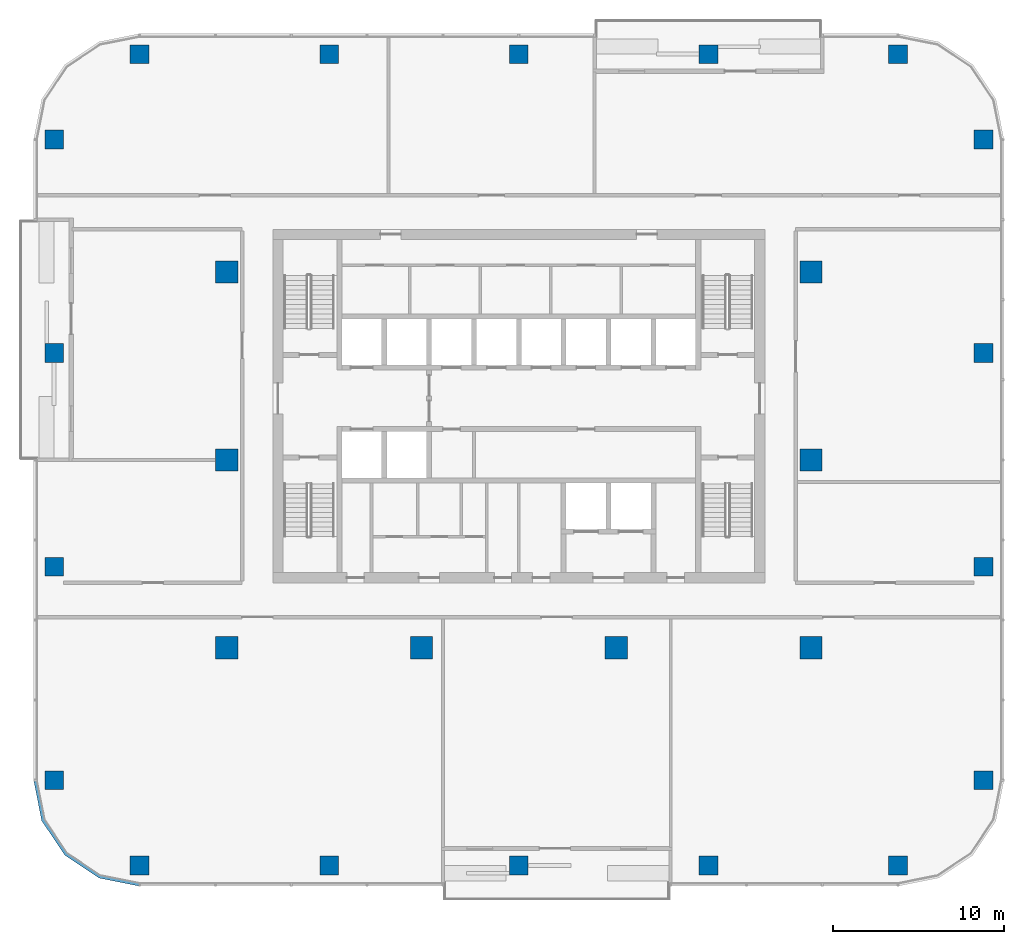
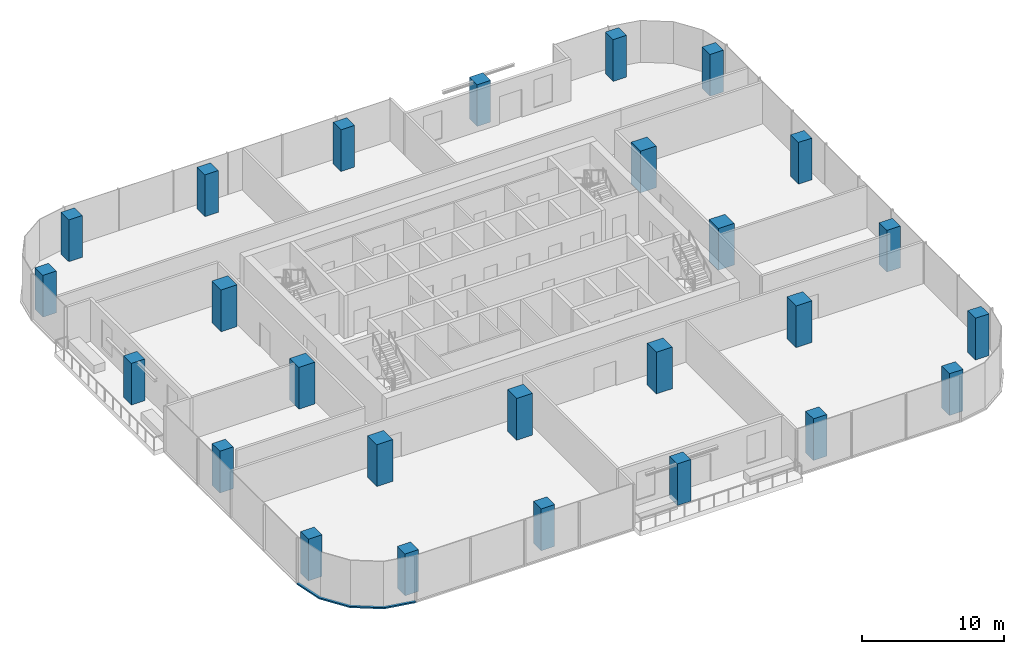
# One storey, part 1 of 14: 26 columns, 1 member, 1 element without a shape of its own.
"""IFC4 building model written with IfcOpenShell, lengths in metres."""

from ifc_helpers import new_model, si_unit, direction, frame, origin, origin_2d, place, context, subcontext, project, spatial, polyline, rectangle, outline, extrude, material, material_profile, profile_set, type_object, element, aggregate, save


model = new_model("IFC4")

# Units and contexts
model_context = context("Model", 3, precision=1e-05, world=origin(), true_north=direction((0.0, 1.0)))
body_context = subcontext(model_context, "Body", "Model", "MODEL_VIEW")
ifc_project = project(units=[si_unit("LENGTHUNIT", "METRE"), si_unit("AREAUNIT", "SQUARE_METRE"), si_unit("VOLUMEUNIT", "CUBIC_METRE"), si_unit("PLANEANGLEUNIT", "RADIAN"), si_unit("MASSUNIT", "GRAM", prefix="KILO")], contexts=[model_context])

# Site, building, storey
site_placement = place(None, origin())
site = spatial("IfcSite", under=ifc_project, at=site_placement, CompositionType="ELEMENT")
building_placement = place(site_placement, origin())
building = spatial("IfcBuilding", under=site, at=building_placement, Name="Mopane Tessera Tower", CompositionType="ELEMENT")
storey_placement = place(building_placement, frame((0.0, 0.0, 239.0)))
storey = spatial("IfcBuildingStorey", under=building, at=storey_placement, Name="L51", CompositionType="ELEMENT", Elevation=239.0)

# Columns
ifc_material_1 = material(Name="Concrete C50/60", Category="concrete")
ifc_material_profile_1 = material_profile(ifc_material_1, rectangle(XDim=1.300048828125, YDim=1.300048828125, at=origin_2d()))
ifc_profile_set_1 = profile_set([ifc_material_profile_1], Name="Concrete C50/60")
column_type_1 = type_object("IfcColumnType", Name="Interior column 1300 x 1300 C50/60", PredefinedType="COLUMN", material=ifc_profile_set_1)
for number, where, z_axis, x_axis, name in (
    (1, (-17.10009765625, -11.0, 0.0), (0.0, 0.0, 1.0), (1.0, 0.0, 0.0), "Interior column I1A L51"),
    (2, (-17.10009765625, 0.0, 0.0), (0.0, 0.0, 1.0), (1.0, 0.0, 0.0), "Interior column I1B L51"),
    (3, (-17.10009765625, 11.0, 0.0), (0.0, 0.0, 1.0), (1.0, 0.0, 0.0), "Interior column I1C L51"),
    (4, (-5.699951171875, -11.0, 0.0), (0.0, 0.0, 1.0), (1.0, 0.0, 0.0), "Interior column I2A L51"),
    (5, (5.699951171875, -11.0, 0.0), (0.0, 0.0, 1.0), (1.0, 0.0, 0.0), "Interior column I3A L51"),
    (6, (17.10009765625, -11.0, 0.0), (0.0, 0.0, 1.0), (1.0, 0.0, 0.0), "Interior column I4A L51"),
    (7, (17.10009765625, 0.0, 0.0), (0.0, 0.0, 1.0), (1.0, 0.0, 0.0), "Interior column I4B L51"),
    (8, (17.10009765625, 11.0, 0.0), (0.0, 0.0, 1.0), (1.0, 0.0, 0.0), "Interior column I4C L51"),
):
    element("IfcColumn", number, at=place(storey_placement, frame(where, z_axis=z_axis, x_axis=x_axis)), inside=storey, type_object=column_type_1, Name=name, PredefinedType="COLUMN", context=body_context, shape_type="SweptSolid", body=[
        extrude(rectangle(XDim=1.300048828125, YDim=1.300048828125, at=origin_2d()), origin(), (0.0, 0.0, 1.0), 3.60009765625),
    ])
ifc_material_2 = material(Name="Concrete C50/60", Category="concrete")
ifc_material_profile_2 = material_profile(ifc_material_2, rectangle(XDim=1.10009765625, YDim=1.10009765625, at=origin_2d()))
ifc_profile_set_2 = profile_set([ifc_material_profile_2], Name="Concrete C50/60")
column_type_2 = type_object("IfcColumnType", Name="Ring column 1100 x 1100 C50/60", PredefinedType="COLUMN", material=ifc_profile_set_2)
for number, where, z_axis, x_axis, name in (
    (9, (-22.199951171875, -23.75, 0.0), (0.0, 0.0, 1.0), (1.0, 0.0, 0.0), "Ring column S0 L51"),
    (10, (-11.10009765625, -23.75, 0.0), (0.0, 0.0, 1.0), (1.0, 0.0, 0.0), "Ring column S1 L51"),
    (11, (0.0, -23.75, 0.0), (0.0, 0.0, 1.0), (1.0, 0.0, 0.0), "Ring column S2 L51"),
    (12, (11.10009765625, -23.75, 0.0), (0.0, 0.0, 1.0), (1.0, 0.0, 0.0), "Ring column S3 L51"),
    (13, (22.199951171875, -23.75, 0.0), (0.0, 0.0, 1.0), (1.0, 0.0, 0.0), "Ring column S4 L51"),
    (14, (27.199951171875, -18.75, 0.0), (0.0, 0.0, 1.0), (1.0, 0.0, 0.0), "Ring column E0 L51"),
    (15, (27.199951171875, -6.25, 0.0), (0.0, 0.0, 1.0), (1.0, 0.0, 0.0), "Ring column E1 L51"),
    (16, (27.199951171875, 6.25, 0.0), (0.0, 0.0, 1.0), (1.0, 0.0, 0.0), "Ring column E2 L51"),
    (17, (27.199951171875, 18.75, 0.0), (0.0, 0.0, 1.0), (1.0, 0.0, 0.0), "Ring column E3 L51"),
    (18, (22.199951171875, 23.75, 0.0), (0.0, 0.0, 1.0), (1.0, 0.0, 0.0), "Ring column N0 L51"),
    (19, (11.10009765625, 23.75, 0.0), (0.0, 0.0, 1.0), (1.0, 0.0, 0.0), "Ring column N1 L51"),
    (20, (0.0, 23.75, 0.0), (0.0, 0.0, 1.0), (1.0, 0.0, 0.0), "Ring column N2 L51"),
    (21, (-11.10009765625, 23.75, 0.0), (0.0, 0.0, 1.0), (1.0, 0.0, 0.0), "Ring column N3 L51"),
    (22, (-22.199951171875, 23.75, 0.0), (0.0, 0.0, 1.0), (1.0, 0.0, 0.0), "Ring column N4 L51"),
    (23, (-27.199951171875, 18.75, 0.0), (0.0, 0.0, 1.0), (1.0, 0.0, 0.0), "Ring column W0 L51"),
    (24, (-27.199951171875, 6.25, 0.0), (0.0, 0.0, 1.0), (1.0, 0.0, 0.0), "Ring column W1 L51"),
    (25, (-27.199951171875, -6.25, 0.0), (0.0, 0.0, 1.0), (1.0, 0.0, 0.0), "Ring column W2 L51"),
    (26, (-27.199951171875, -18.75, 0.0), (0.0, 0.0, 1.0), (1.0, 0.0, 0.0), "Ring column W3 L51"),
):
    element("IfcColumn", number, at=place(storey_placement, frame(where, z_axis=z_axis, x_axis=x_axis)), inside=storey, type_object=column_type_2, Name=name, PredefinedType="COLUMN", context=body_context, shape_type="SweptSolid", body=[
        extrude(rectangle(XDim=1.10009765625, YDim=1.10009765625, at=origin_2d()), origin(), (0.0, 0.0, 1.0), 3.60009765625),
    ])

# Curtain wall, member
ifc_material_3 = material(Name="Aluminium frame", Category="aluminium")
curtain_wall_type = type_object("IfcCurtainWallType", Name="Unitised curtain wall", PredefinedType="NOTDEFINED", material=ifc_material_3)
curtain_wall_placement = place(storey_placement, origin())
curtain_wall = element("IfcCurtainWall", 27, at=curtain_wall_placement, inside=storey, type_object=curtain_wall_type, Name="e:cw:L51:CW", PredefinedType="NOTDEFINED")
ifc_material_4 = material(Name="Aluminium frame", Category="aluminium")
ifc_material_profile_3 = material_profile(ifc_material_4, rectangle(XDim=0.199951171875, YDim=0.1201171875, at=origin_2d()))
ifc_profile_set_3 = profile_set([ifc_material_profile_3], Name="Aluminium frame")
member_type = type_object("IfcMemberType", Name="Aluminium transom 200 x 120", PredefinedType="USERDEFINED", material=ifc_profile_set_3)
member_placement = place(storey_placement, frame((0.0, 0.0, -0.39990234375)))
member = element("IfcMember", 28, at=member_placement, type_object=member_type, Name="e:cw:L51:CW:tr", ObjectType="TRANSOM", PredefinedType="USERDEFINED", context=body_context, shape_type="SweptSolid", body=[
    extrude(outline(polyline([(-28.199951171875, -18.75), (-27.7431640625, -21.046142578125), (-26.442626953125, -22.99267578125), (-24.49609375, -24.293212890625), (-22.199951171875, -24.75), (-22.199951171875, -24.949951171875), (-24.57275390625, -24.47802734375), (-26.583984375, -23.134033203125), (-27.927978515625, -21.12255859375), (-28.39990234375, -18.75), (-28.199951171875, -18.75)])), origin(), (0.0, 0.0, 1.0), 0.119873046875),
])
aggregate(curtain_wall, [member])

save(model, "model.ifc")
